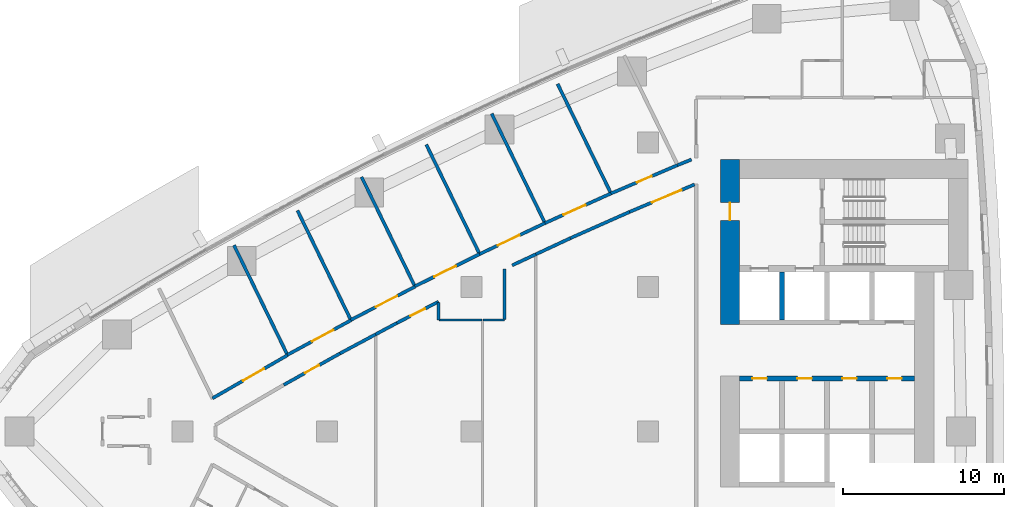
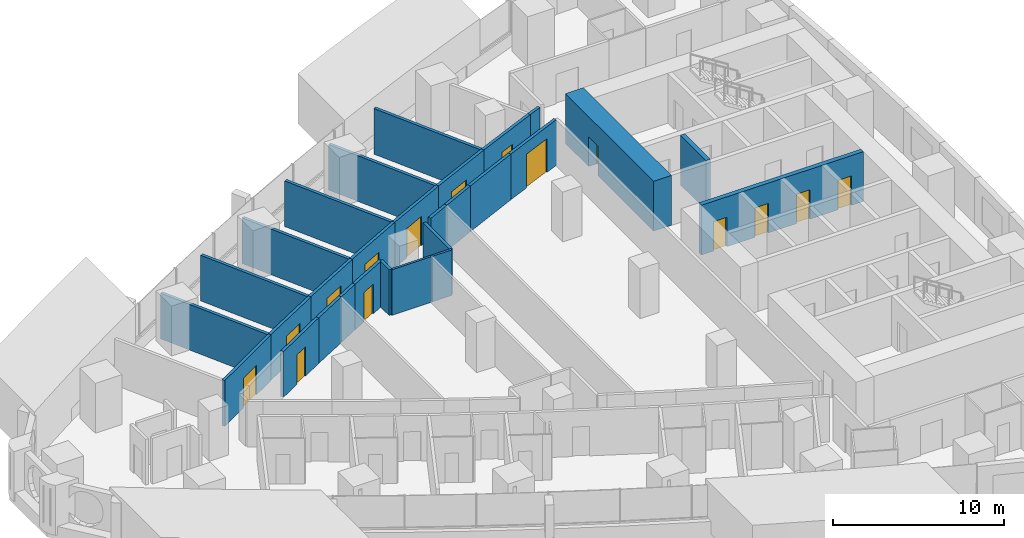
# One storey, part 12 of 19: 29 walls, 15 doors, 15 openings.
"""IFC4 building model written with IfcOpenShell, lengths in metres."""

from ifc_helpers import new_model, si_unit, direction, frame, frame_2d, origin, place, context, subcontext, project, spatial, rectangle, extrude, material, layer, layer_set, type_object, element, fill, save


model = new_model("IFC4")

# Units and contexts
model_context = context("Model", 3, precision=1e-05, world=origin(), true_north=direction((0.0, 1.0)))
body_context = subcontext(model_context, "Body", "Model", "MODEL_VIEW")
ifc_project = project(units=[si_unit("LENGTHUNIT", "METRE"), si_unit("AREAUNIT", "SQUARE_METRE"), si_unit("VOLUMEUNIT", "CUBIC_METRE"), si_unit("PLANEANGLEUNIT", "RADIAN"), si_unit("MASSUNIT", "GRAM", prefix="KILO")], contexts=[model_context])

# Site, building, storey
site_placement = place(None, origin())
site = spatial("IfcSite", under=ifc_project, at=site_placement, CompositionType="ELEMENT")
building_placement = place(site_placement, origin())
building = spatial("IfcBuilding", under=site, at=building_placement, Name="Ostrand Prow Hotel Tower", CompositionType="ELEMENT")
storey_placement = place(building_placement, frame((0.0, 0.0, 46.699951171875)))
storey = spatial("IfcBuildingStorey", under=building, at=storey_placement, Name="L09", CompositionType="ELEMENT", Elevation=46.699951171875)

# Wall, opening, door
ifc_material_1 = material(Name="Concrete C80/95", Category="concrete")
ifc_layer_1 = layer(ifc_material_1, 1.199951171875)
ifc_layer_set_1 = layer_set([ifc_layer_1], Name="Concrete C80/95")
wall_type_1 = type_object("IfcWallType", Name="Core wall 1200 C80/95", PredefinedType="SHEAR", material=ifc_layer_set_1)
wall_1_placement = place(storey_placement, frame((50.10009765625, 6.64990234375, 0.0), z_axis=(0.0, 0.0, 1.0), x_axis=(0.0, 1.0, 0.0)))
wall_1 = element("IfcWall", 1, at=wall_1_placement, inside=storey, type_object=wall_type_1, Name="Core wall CW-W-N", PredefinedType="SHEAR", context=body_context, shape_type="SweptSolid", body=[
    extrude(rectangle(XDim=10.300048828125, YDim=1.199951171875, at=frame_2d((5.14990234375, 0.0))), origin(), (0.0, 0.0, 1.0), 3.550048828125),
])
opening_1_placement = place(wall_1_placement, frame((6.5, 0.0, 0.0)))
opening_1 = element("IfcOpeningElement", 2, at=opening_1_placement, cuts=wall_1, Name="Opening FD1", PredefinedType="OPENING", context=body_context, shape_type="SweptSolid", body=[
    extrude(rectangle(XDim=1.10009765625, YDim=2.10009765625, at=frame_2d((0.550048828125, 1.050048828125))), frame((0.0, 0.60986328125, 0.0), z_axis=(0.0, -1.0, 0.0), x_axis=(1.0, 0.0, 0.0)), (0.0, 0.0, 1.0), 1.219970703125),
])
ifc_material_2 = material(Name="Steel fire door", Category="steel")
door_type_1 = type_object("IfcDoorType", Name="Fire door 1100 EI120", OperationType="SINGLE_SWING_RIGHT", PredefinedType="DOOR", material=ifc_material_2)
door_1_placement = place(opening_1_placement, origin())
door_1 = element("IfcDoor", 3, at=door_1_placement, inside=storey, type_object=door_type_1, Name="FIRE DOOR", OperationType="SINGLE_SWING_RIGHT", OverallHeight=2.10009765625, OverallWidth=1.10009765625, PredefinedType="DOOR", context=body_context, shape_type="SweptSolid", body=[
    extrude(rectangle(XDim=1.10009765625, YDim=2.10009765625, at=frame_2d((0.550048828125, 1.050048828125))), frame((0.0, 0.02490234375, 0.0), z_axis=(0.0, -1.0, 0.0), x_axis=(1.0, 0.0, 0.0)), (0.0, 0.0, 1.0), 0.050048828125),
])
fill(opening_1, door_1)

# Wall, openings, doors
ifc_material_3 = material(Name="Concrete C80/95", Category="concrete")
ifc_layer_2 = layer(ifc_material_3, 0.300048828125)
ifc_layer_set_2 = layer_set([ifc_layer_2], Name="Concrete C80/95")
wall_type_2 = type_object("IfcWallType", Name="Core wall 300 C80/95", PredefinedType="SHEAR", material=ifc_layer_set_2)
wall_2_placement = place(storey_placement, frame((50.699951171875, 3.300048828125, 0.0), z_axis=(0.0, 0.0, 1.0), x_axis=(1.0, 0.0, 0.0)))
wall_2 = element("IfcWall", 4, at=wall_2_placement, inside=storey, type_object=wall_type_2, Name="Core wall PW-L1-N", PredefinedType="SHEAR", context=body_context, shape_type="SweptSolid", body=[
    extrude(rectangle(XDim=10.900146484375, YDim=0.300048828125, at=frame_2d((5.4501953125, 0.0))), origin(), (0.0, 0.0, 1.0), 3.550048828125),
])
opening_2_placement = place(wall_2_placement, frame((0.800048828125, 0.0, 0.0)))
opening_2 = element("IfcOpeningElement", 5, at=opening_2_placement, cuts=wall_2, Name="Opening FD2", PredefinedType="OPENING", context=body_context, shape_type="SweptSolid", body=[
    extrude(rectangle(XDim=0.89990234375, YDim=2.10009765625, at=frame_2d((0.449951171875, 1.050048828125))), frame((0.0, 0.159912109375, 0.0), z_axis=(0.0, -1.0, 0.0), x_axis=(1.0, 0.0, 0.0)), (0.0, 0.0, 1.0), 0.320068359375),
])
opening_3_placement = place(wall_2_placement, frame((3.60009765625, 0.0, 0.0)))
opening_3 = element("IfcOpeningElement", 6, at=opening_3_placement, cuts=wall_2, Name="Opening FD2", PredefinedType="OPENING", context=body_context, shape_type="SweptSolid", body=[
    extrude(rectangle(XDim=0.89990234375, YDim=2.10009765625, at=frame_2d((0.449951171875, 1.050048828125))), frame((0.0, 0.159912109375, 0.0), z_axis=(0.0, -1.0, 0.0), x_axis=(1.0, 0.0, 0.0)), (0.0, 0.0, 1.0), 0.320068359375),
])
opening_4_placement = place(wall_2_placement, frame((6.39990234375, 0.0, 0.0)))
opening_4 = element("IfcOpeningElement", 7, at=opening_4_placement, cuts=wall_2, Name="Opening FD2", PredefinedType="OPENING", context=body_context, shape_type="SweptSolid", body=[
    extrude(rectangle(XDim=0.89990234375, YDim=2.10009765625, at=frame_2d((0.449951171875, 1.050048828125))), frame((0.0, 0.159912109375, 0.0), z_axis=(0.0, -1.0, 0.0), x_axis=(1.0, 0.0, 0.0)), (0.0, 0.0, 1.0), 0.320068359375),
])
opening_5_placement = place(wall_2_placement, frame((9.199951171875, 0.0, 0.0)))
opening_5 = element("IfcOpeningElement", 8, at=opening_5_placement, cuts=wall_2, Name="Opening FD2", PredefinedType="OPENING", context=body_context, shape_type="SweptSolid", body=[
    extrude(rectangle(XDim=0.89990234375, YDim=2.10009765625, at=frame_2d((0.449951171875, 1.050048828125))), frame((0.0, 0.159912109375, 0.0), z_axis=(0.0, -1.0, 0.0), x_axis=(1.0, 0.0, 0.0)), (0.0, 0.0, 1.0), 0.320068359375),
])
ifc_material_4 = material(Name="Steel fire door", Category="steel")
door_type_2 = type_object("IfcDoorType", Name="Fire door 900 EI120", OperationType="SINGLE_SWING_LEFT", PredefinedType="DOOR", material=ifc_material_4)
door_2_placement = place(opening_2_placement, origin())
door_2 = element("IfcDoor", 9, at=door_2_placement, inside=storey, type_object=door_type_2, Name="DOOR", OperationType="SINGLE_SWING_LEFT", OverallHeight=2.10009765625, OverallWidth=0.89990234375, PredefinedType="DOOR", context=body_context, shape_type="SweptSolid", body=[
    extrude(rectangle(XDim=0.89990234375, YDim=2.10009765625, at=frame_2d((0.449951171875, 1.050048828125))), frame((0.0, 0.02490234375, 0.0), z_axis=(0.0, -1.0, 0.0), x_axis=(1.0, 0.0, 0.0)), (0.0, 0.0, 1.0), 0.050048828125),
])
fill(opening_2, door_2)
door_3_placement = place(opening_3_placement, origin())
door_3 = element("IfcDoor", 10, at=door_3_placement, inside=storey, type_object=door_type_2, Name="DOOR", OperationType="SINGLE_SWING_LEFT", OverallHeight=2.10009765625, OverallWidth=0.89990234375, PredefinedType="DOOR", context=body_context, shape_type="SweptSolid", body=[
    extrude(rectangle(XDim=0.89990234375, YDim=2.10009765625, at=frame_2d((0.449951171875, 1.050048828125))), frame((0.0, 0.02490234375, 0.0), z_axis=(0.0, -1.0, 0.0), x_axis=(1.0, 0.0, 0.0)), (0.0, 0.0, 1.0), 0.050048828125),
])
fill(opening_3, door_3)
door_4_placement = place(opening_4_placement, origin())
door_4 = element("IfcDoor", 11, at=door_4_placement, inside=storey, type_object=door_type_2, Name="DOOR", OperationType="SINGLE_SWING_LEFT", OverallHeight=2.10009765625, OverallWidth=0.89990234375, PredefinedType="DOOR", context=body_context, shape_type="SweptSolid", body=[
    extrude(rectangle(XDim=0.89990234375, YDim=2.10009765625, at=frame_2d((0.449951171875, 1.050048828125))), frame((0.0, 0.02490234375, 0.0), z_axis=(0.0, -1.0, 0.0), x_axis=(1.0, 0.0, 0.0)), (0.0, 0.0, 1.0), 0.050048828125),
])
fill(opening_4, door_4)
door_5_placement = place(opening_5_placement, origin())
door_5 = element("IfcDoor", 12, at=door_5_placement, inside=storey, type_object=door_type_2, Name="DOOR", OperationType="SINGLE_SWING_LEFT", OverallHeight=2.10009765625, OverallWidth=0.89990234375, PredefinedType="DOOR", context=body_context, shape_type="SweptSolid", body=[
    extrude(rectangle(XDim=0.89990234375, YDim=2.10009765625, at=frame_2d((0.449951171875, 1.050048828125))), frame((0.0, 0.02490234375, 0.0), z_axis=(0.0, -1.0, 0.0), x_axis=(1.0, 0.0, 0.0)), (0.0, 0.0, 1.0), 0.050048828125),
])
fill(opening_5, door_5)

# Walls
wall_3_placement = place(storey_placement, frame((53.35009765625, 6.949951171875, 0.0), z_axis=(0.0, 0.0, 1.0), x_axis=(0.0, 1.0, 0.0)))
element("IfcWall", 13, at=wall_3_placement, inside=storey, type_object=wall_type_2, Name="Core wall PW-R1-NA", PredefinedType="SHEAR", context=body_context, shape_type="SweptSolid", body=[
    extrude(rectangle(XDim=3.0, YDim=0.300048828125, at=frame_2d((1.5, 0.0))), origin(), (0.0, 0.0, 1.0), 3.550048828125),
])
ifc_material_5 = material(Name="Plasterboard partition")
ifc_layer_3 = layer(ifc_material_5, 0.14990234375)
ifc_layer_set_3 = layer_set([ifc_layer_3], Name="Plasterboard partition")
wall_type_3 = type_object("IfcWallType", Name="Partition 150 room partition", PredefinedType="PARTITIONING", material=ifc_layer_set_3)
wall_4_placement = place(storey_placement, frame((31.989013671875, 6.945068359375, 0.0), z_axis=(0.0, 0.0, 1.0), x_axis=(1.0, 0.0, 0.0)))
element("IfcWall", 14, at=wall_4_placement, inside=storey, type_object=wall_type_3, Name="ROOM PARTITION", PredefinedType="PARTITIONING", context=body_context, shape_type="SweptSolid", body=[
    extrude(rectangle(XDim=2.659912109375, YDim=0.14990234375, at=frame_2d((1.330078125, 0.0))), origin(), (0.0, 0.0, 1.0), 3.25),
])
wall_5_placement = place(storey_placement, frame((34.72900390625, 6.945068359375, 0.0), z_axis=(0.0, 0.0, 1.0), x_axis=(0.999999168148, 0.001289845988, 0.0)))
element("IfcWall", 15, at=wall_5_placement, inside=storey, type_object=wall_type_3, Name="ROOM PARTITION", PredefinedType="PARTITIONING", context=body_context, shape_type="SweptSolid", body=[
    extrude(rectangle(XDim=1.324951171875, YDim=0.14990234375, at=frame_2d((0.66259765625, 0.0))), origin(), (0.0, 0.0, 1.0), 3.25),
])

# Wall, opening, door
ifc_material_6 = material(Name="Plasterboard partition")
ifc_layer_4 = layer(ifc_material_6, 0.199951171875)
ifc_layer_set_4 = layer_set([ifc_layer_4], Name="Plasterboard partition")
wall_type_4 = type_object("IfcWallType", Name="Partition 200 corridor wall", PredefinedType="PARTITIONING", material=ifc_layer_set_4)
wall_6_placement = place(storey_placement, frame((17.87353515625, 2.068115234375, 0.0), z_axis=(0.0, 0.0, 1.0), x_axis=(0.867093061484, 0.4981461861, 0.0)))
wall_6 = element("IfcWall", 16, at=wall_6_placement, inside=storey, type_object=wall_type_4, Name="CORRIDOR WALL", PredefinedType="PARTITIONING", context=body_context, shape_type="SweptSolid", body=[
    extrude(rectangle(XDim=5.39306640625, YDim=0.199951171875, at=frame_2d((2.696533203125, 0.0))), origin(), (0.0, 0.0, 1.0), 3.25),
])
opening_6_placement = place(wall_6_placement, frame((2.196533203125, 0.0, 0.0)))
opening_6 = element("IfcOpeningElement", 17, at=opening_6_placement, cuts=wall_6, Name="Opening D15", PredefinedType="OPENING", context=body_context, shape_type="SweptSolid", body=[
    extrude(rectangle(XDim=1.5, YDim=2.10009765625, at=frame_2d((0.75, 1.050048828125))), frame((0.0, 0.10986328125, 0.0), z_axis=(0.0, -1.0, 0.0), x_axis=(1.0, 0.0, 0.0)), (0.0, 0.0, 1.0), 0.219970703125),
])
ifc_material_7 = material(Name="Timber door leaf", Category="wood")
door_type_3 = type_object("IfcDoorType", Name="Double door 1500", OperationType="DOUBLE_DOOR_SINGLE_SWING", PredefinedType="DOOR", material=ifc_material_7)
door_6_placement = place(opening_6_placement, origin())
door_6 = element("IfcDoor", 18, at=door_6_placement, inside=storey, type_object=door_type_3, Name="DOOR", OperationType="DOUBLE_DOOR_SINGLE_SWING", OverallHeight=2.10009765625, OverallWidth=1.5, PredefinedType="DOOR", context=body_context, shape_type="SweptSolid", body=[
    extrude(rectangle(XDim=1.5, YDim=2.10009765625, at=frame_2d((0.75, 1.050048828125))), frame((0.0, 0.02490234375, 0.0), z_axis=(0.0, -1.0, 0.0), x_axis=(1.0, 0.0, 0.0)), (0.0, 0.0, 1.0), 0.050048828125),
])
fill(opening_6, door_6)

wall_7_placement = place(storey_placement, frame((22.541015625, 4.772705078125, 0.0), z_axis=(0.0, 0.0, 1.0), x_axis=(0.878098348451, 0.478480188146, 0.0)))
wall_7 = element("IfcWall", 19, at=wall_7_placement, inside=storey, type_object=wall_type_4, Name="CORRIDOR WALL", PredefinedType="PARTITIONING", context=body_context, shape_type="SweptSolid", body=[
    extrude(rectangle(XDim=4.507568359375, YDim=0.199951171875, at=frame_2d((2.25390625, 0.0))), origin(), (0.0, 0.0, 1.0), 3.25),
])
opening_7_placement = place(wall_7_placement, frame((1.75390625, 0.0, 0.0)))
opening_7 = element("IfcOpeningElement", 20, at=opening_7_placement, cuts=wall_7, Name="Opening D15", PredefinedType="OPENING", context=body_context, shape_type="SweptSolid", body=[
    extrude(rectangle(XDim=1.5, YDim=2.10009765625, at=frame_2d((0.75, 1.050048828125))), frame((0.0, 0.10986328125, 0.0), z_axis=(0.0, -1.0, 0.0), x_axis=(1.0, 0.0, 0.0)), (0.0, 0.0, 1.0), 0.219970703125),
])
door_7_placement = place(opening_7_placement, origin())
door_7 = element("IfcDoor", 21, at=door_7_placement, inside=storey, type_object=door_type_3, Name="DOOR", OperationType="DOUBLE_DOOR_SINGLE_SWING", OverallHeight=2.10009765625, OverallWidth=1.5, PredefinedType="DOOR", context=body_context, shape_type="SweptSolid", body=[
    extrude(rectangle(XDim=1.5, YDim=2.10009765625, at=frame_2d((0.75, 1.050048828125))), frame((0.0, 0.02490234375, 0.0), z_axis=(0.0, -1.0, 0.0), x_axis=(1.0, 0.0, 0.0)), (0.0, 0.0, 1.0), 0.050048828125),
])
fill(opening_7, door_7)

wall_8_placement = place(storey_placement, frame((26.490234375, 6.947509765625, 0.0), z_axis=(0.0, 0.0, 1.0), x_axis=(0.887638836985, 0.460540220911, 0.0)))
wall_8 = element("IfcWall", 22, at=wall_8_placement, inside=storey, type_object=wall_type_4, Name="CORRIDOR WALL", PredefinedType="PARTITIONING", context=body_context, shape_type="SweptSolid", body=[
    extrude(rectangle(XDim=4.50439453125, YDim=0.199951171875, at=frame_2d((2.252197265625, 0.0))), origin(), (0.0, 0.0, 1.0), 3.25),
])
opening_8_placement = place(wall_8_placement, frame((1.752197265625, 0.0, 0.0)))
opening_8 = element("IfcOpeningElement", 23, at=opening_8_placement, cuts=wall_8, Name="Opening D15", PredefinedType="OPENING", context=body_context, shape_type="SweptSolid", body=[
    extrude(rectangle(XDim=1.5, YDim=2.10009765625, at=frame_2d((0.75, 1.050048828125))), frame((0.0, 0.10986328125, 0.0), z_axis=(0.0, -1.0, 0.0), x_axis=(1.0, 0.0, 0.0)), (0.0, 0.0, 1.0), 0.219970703125),
])
door_8_placement = place(opening_8_placement, origin())
door_8 = element("IfcDoor", 24, at=door_8_placement, inside=storey, type_object=door_type_3, Name="DOOR", OperationType="DOUBLE_DOOR_SINGLE_SWING", OverallHeight=2.10009765625, OverallWidth=1.5, PredefinedType="DOOR", context=body_context, shape_type="SweptSolid", body=[
    extrude(rectangle(XDim=1.5, YDim=2.10009765625, at=frame_2d((0.75, 1.050048828125))), frame((0.0, 0.02490234375, 0.0), z_axis=(0.0, -1.0, 0.0), x_axis=(1.0, 0.0, 0.0)), (0.0, 0.0, 1.0), 0.050048828125),
])
fill(opening_8, door_8)

wall_9_placement = place(storey_placement, frame((30.479736328125, 9.039794921875, 0.0), z_axis=(0.0, 0.0, 1.0), x_axis=(0.894989913054, 0.446086376761, 0.0)))
wall_9 = element("IfcWall", 25, at=wall_9_placement, inside=storey, type_object=wall_type_4, Name="CORRIDOR WALL", PredefinedType="PARTITIONING", context=body_context, shape_type="SweptSolid", body=[
    extrude(rectangle(XDim=4.50634765625, YDim=0.199951171875, at=frame_2d((2.253173828125, 0.0))), origin(), (0.0, 0.0, 1.0), 3.25),
])
opening_9_placement = place(wall_9_placement, frame((1.35009765625, 0.0, 0.0)))
opening_9 = element("IfcOpeningElement", 26, at=opening_9_placement, cuts=wall_9, Name="Opening D15", PredefinedType="OPENING", context=body_context, shape_type="SweptSolid", body=[
    extrude(rectangle(XDim=1.5, YDim=2.10009765625, at=frame_2d((0.75, 1.050048828125))), frame((0.0, 0.10986328125, 0.0), z_axis=(0.0, -1.0, 0.0), x_axis=(1.0, 0.0, 0.0)), (0.0, 0.0, 1.0), 0.219970703125),
])
door_9_placement = place(opening_9_placement, origin())
door_9 = element("IfcDoor", 27, at=door_9_placement, inside=storey, type_object=door_type_3, Name="DOOR", OperationType="DOUBLE_DOOR_SINGLE_SWING", OverallHeight=2.10009765625, OverallWidth=1.5, PredefinedType="DOOR", context=body_context, shape_type="SweptSolid", body=[
    extrude(rectangle(XDim=1.5, YDim=2.10009765625, at=frame_2d((0.75, 1.050048828125))), frame((0.0, 0.02490234375, 0.0), z_axis=(0.0, -1.0, 0.0), x_axis=(1.0, 0.0, 0.0)), (0.0, 0.0, 1.0), 0.050048828125),
])
fill(opening_9, door_9)

wall_10_placement = place(storey_placement, frame((38.584716796875, 12.981201171875, 0.0), z_axis=(0.0, 0.0, 1.0), x_axis=(-0.903706948966, -0.428151550727, 0.0)))
wall_10 = element("IfcWall", 28, at=wall_10_placement, inside=storey, type_object=wall_type_4, Name="CORRIDOR WALL", PredefinedType="PARTITIONING", context=body_context, shape_type="SweptSolid", body=[
    extrude(rectangle(XDim=4.50634765625, YDim=0.199951171875, at=frame_2d((2.253173828125, 0.0))), origin(), (0.0, 0.0, 1.0), 3.25),
])
opening_10_placement = place(wall_10_placement, frame((1.75341796875, 0.0, 0.0)))
opening_10 = element("IfcOpeningElement", 29, at=opening_10_placement, cuts=wall_10, Name="Opening D15", PredefinedType="OPENING", context=body_context, shape_type="SweptSolid", body=[
    extrude(rectangle(XDim=1.5, YDim=2.10009765625, at=frame_2d((0.75, 1.050048828125))), frame((0.0, 0.10986328125, 0.0), z_axis=(0.0, -1.0, 0.0), x_axis=(1.0, 0.0, 0.0)), (0.0, 0.0, 1.0), 0.219970703125),
])
door_10_placement = place(opening_10_placement, origin())
door_10 = element("IfcDoor", 30, at=door_10_placement, inside=storey, type_object=door_type_3, Name="DOOR", OperationType="DOUBLE_DOOR_SINGLE_SWING", OverallHeight=2.10009765625, OverallWidth=1.5, PredefinedType="DOOR", context=body_context, shape_type="SweptSolid", body=[
    extrude(rectangle(XDim=1.5, YDim=2.10009765625, at=frame_2d((0.75, 1.050048828125))), frame((0.0, 0.02490234375, 0.0), z_axis=(0.0, -1.0, 0.0), x_axis=(1.0, 0.0, 0.0)), (0.0, 0.0, 1.0), 0.050048828125),
])
fill(opening_10, door_10)

wall_11_placement = place(storey_placement, frame((42.694091796875, 14.8271484375, 0.0), z_axis=(0.0, 0.0, 1.0), x_axis=(-0.912193063794, -0.409760679381, 0.0)))
wall_11 = element("IfcWall", 31, at=wall_11_placement, inside=storey, type_object=wall_type_4, Name="CORRIDOR WALL", PredefinedType="PARTITIONING", context=body_context, shape_type="SweptSolid", body=[
    extrude(rectangle(XDim=4.5048828125, YDim=0.199951171875, at=frame_2d((2.25244140625, 0.0))), origin(), (0.0, 0.0, 1.0), 3.25),
])
opening_11_placement = place(wall_11_placement, frame((1.75244140625, 0.0, 0.0)))
opening_11 = element("IfcOpeningElement", 32, at=opening_11_placement, cuts=wall_11, Name="Opening D15", PredefinedType="OPENING", context=body_context, shape_type="SweptSolid", body=[
    extrude(rectangle(XDim=1.5, YDim=2.10009765625, at=frame_2d((0.75, 1.050048828125))), frame((0.0, 0.10986328125, 0.0), z_axis=(0.0, -1.0, 0.0), x_axis=(1.0, 0.0, 0.0)), (0.0, 0.0, 1.0), 0.219970703125),
])
door_11_placement = place(opening_11_placement, origin())
door_11 = element("IfcDoor", 33, at=door_11_placement, inside=storey, type_object=door_type_3, Name="DOOR", OperationType="DOUBLE_DOOR_SINGLE_SWING", OverallHeight=2.10009765625, OverallWidth=1.5, PredefinedType="DOOR", context=body_context, shape_type="SweptSolid", body=[
    extrude(rectangle(XDim=1.5, YDim=2.10009765625, at=frame_2d((0.75, 1.050048828125))), frame((0.0, 0.02490234375, 0.0), z_axis=(0.0, -1.0, 0.0), x_axis=(1.0, 0.0, 0.0)), (0.0, 0.0, 1.0), 0.050048828125),
])
fill(opening_11, door_11)

wall_12_placement = place(storey_placement, frame((46.843505859375, 16.5908203125, 0.0), z_axis=(0.0, 0.0, 1.0), x_axis=(-0.92031727314, -0.39117274542, 0.0)))
wall_12 = element("IfcWall", 34, at=wall_12_placement, inside=storey, type_object=wall_type_4, Name="CORRIDOR WALL", PredefinedType="PARTITIONING", context=body_context, shape_type="SweptSolid", body=[
    extrude(rectangle(XDim=4.5087890625, YDim=0.199951171875, at=frame_2d((2.25439453125, 0.0))), origin(), (0.0, 0.0, 1.0), 3.25),
])
opening_12_placement = place(wall_12_placement, frame((1.75439453125, 0.0, 0.0)))
opening_12 = element("IfcOpeningElement", 35, at=opening_12_placement, cuts=wall_12, Name="Opening D1R", PredefinedType="OPENING", context=body_context, shape_type="SweptSolid", body=[
    extrude(rectangle(XDim=1.0, YDim=2.10009765625, at=frame_2d((0.5, 1.050048828125))), frame((0.0, 0.10986328125, 0.0), z_axis=(0.0, -1.0, 0.0), x_axis=(1.0, 0.0, 0.0)), (0.0, 0.0, 1.0), 0.219970703125),
])
ifc_material_8 = material(Name="Timber door leaf", Category="wood")
door_type_4 = type_object("IfcDoorType", Name="Guest room door 1000 right", OperationType="SINGLE_SWING_RIGHT", PredefinedType="DOOR", material=ifc_material_8)
door_12_placement = place(opening_12_placement, origin())
door_12 = element("IfcDoor", 36, at=door_12_placement, inside=storey, type_object=door_type_4, Name="DOOR", OperationType="SINGLE_SWING_RIGHT", OverallHeight=2.10009765625, OverallWidth=1.0, PredefinedType="DOOR", context=body_context, shape_type="SweptSolid", body=[
    extrude(rectangle(XDim=1.0, YDim=2.10009765625, at=frame_2d((0.5, 1.050048828125))), frame((0.0, 0.02490234375, 0.0), z_axis=(0.0, -1.0, 0.0), x_axis=(1.0, 0.0, 0.0)), (0.0, 0.0, 1.0), 0.050048828125),
])
fill(opening_12, door_12)

wall_13_placement = place(storey_placement, frame((22.31201171875, 2.903076171875, 0.0), z_axis=(0.0, 0.0, 1.0), x_axis=(0.872800289292, 0.488077509225, 0.0)))
wall_13 = element("IfcWall", 37, at=wall_13_placement, inside=storey, type_object=wall_type_4, Name="CORRIDOR WALL", PredefinedType="PARTITIONING", context=body_context, shape_type="SweptSolid", body=[
    extrude(rectangle(XDim=4.015625, YDim=0.199951171875, at=frame_2d((2.0078125, 0.0))), origin(), (0.0, 0.0, 1.0), 3.25),
])
opening_13_placement = place(wall_13_placement, frame((1.5078125, 0.0, 0.0)))
opening_13 = element("IfcOpeningElement", 38, at=opening_13_placement, cuts=wall_13, Name="Opening D1R", PredefinedType="OPENING", context=body_context, shape_type="SweptSolid", body=[
    extrude(rectangle(XDim=1.0, YDim=2.10009765625, at=frame_2d((0.5, 1.050048828125))), frame((0.0, 0.10986328125, 0.0), z_axis=(0.0, -1.0, 0.0), x_axis=(1.0, 0.0, 0.0)), (0.0, 0.0, 1.0), 0.219970703125),
])
door_13_placement = place(opening_13_placement, origin())
door_13 = element("IfcDoor", 39, at=door_13_placement, inside=storey, type_object=door_type_4, Name="DOOR", OperationType="SINGLE_SWING_RIGHT", OverallHeight=2.10009765625, OverallWidth=1.0, PredefinedType="DOOR", context=body_context, shape_type="SweptSolid", body=[
    extrude(rectangle(XDim=1.0, YDim=2.10009765625, at=frame_2d((0.5, 1.050048828125))), frame((0.0, 0.02490234375, 0.0), z_axis=(0.0, -1.0, 0.0), x_axis=(1.0, 0.0, 0.0)), (0.0, 0.0, 1.0), 0.050048828125),
])
fill(opening_13, door_13)

# Wall
wall_14_placement = place(storey_placement, frame((25.81689453125, 4.863037109375, 0.0), z_axis=(0.0, 0.0, 1.0), x_axis=(0.881650280758, 0.471903361335, 0.0)))
element("IfcWall", 40, at=wall_14_placement, inside=storey, type_object=wall_type_4, Name="CORRIDOR WALL", PredefinedType="PARTITIONING", context=body_context, shape_type="SweptSolid", body=[
    extrude(rectangle(XDim=2.513916015625, YDim=0.199951171875, at=frame_2d((1.2568359375, 0.0))), origin(), (0.0, 0.0, 1.0), 3.25),
])

# Wall, opening, door
wall_15_placement = place(storey_placement, frame((29.357421875, 6.758056640625, 0.0), z_axis=(0.0, 0.0, 1.0), x_axis=(0.890213377055, 0.455543788579, 0.0)))
wall_15 = element("IfcWall", 41, at=wall_15_placement, inside=storey, type_object=wall_type_4, Name="CORRIDOR WALL", PredefinedType="PARTITIONING", context=body_context, shape_type="SweptSolid", body=[
    extrude(rectangle(XDim=2.912353515625, YDim=0.199951171875, at=frame_2d((1.4560546875, 0.0))), origin(), (0.0, 0.0, 1.0), 3.25),
])
opening_14_placement = place(wall_15_placement, frame((0.956298828125, 0.0, 0.0)))
opening_14 = element("IfcOpeningElement", 42, at=opening_14_placement, cuts=wall_15, Name="Opening D1", PredefinedType="OPENING", context=body_context, shape_type="SweptSolid", body=[
    extrude(rectangle(XDim=1.0, YDim=2.10009765625, at=frame_2d((0.5, 1.050048828125))), frame((0.0, 0.10986328125, 0.0), z_axis=(0.0, -1.0, 0.0), x_axis=(1.0, 0.0, 0.0)), (0.0, 0.0, 1.0), 0.219970703125),
])
ifc_material_9 = material(Name="Timber door leaf", Category="wood")
door_type_5 = type_object("IfcDoorType", Name="Guest room door 1000", OperationType="SINGLE_SWING_LEFT", PredefinedType="DOOR", material=ifc_material_9)
door_14_placement = place(opening_14_placement, origin())
door_14 = element("IfcDoor", 43, at=door_14_placement, inside=storey, type_object=door_type_5, Name="DOOR", OperationType="SINGLE_SWING_LEFT", OverallHeight=2.10009765625, OverallWidth=1.0, PredefinedType="DOOR", context=body_context, shape_type="SweptSolid", body=[
    extrude(rectangle(XDim=1.0, YDim=2.10009765625, at=frame_2d((0.5, 1.050048828125))), frame((0.0, 0.02490234375, 0.0), z_axis=(0.0, -1.0, 0.0), x_axis=(1.0, 0.0, 0.0)), (0.0, 0.0, 1.0), 0.050048828125),
])
fill(opening_14, door_14)

# Walls
wall_16_placement = place(storey_placement, frame((28.033203125, 6.04931640625, 0.0), z_axis=(0.0, 0.0, 1.0), x_axis=(0.881663555886, 0.471878558764, 0.0)))
element("IfcWall", 44, at=wall_16_placement, inside=storey, type_object=wall_type_4, Name="CORRIDOR WALL", PredefinedType="PARTITIONING", context=body_context, shape_type="SweptSolid", body=[
    extrude(rectangle(XDim=1.501953125, YDim=0.199951171875, at=frame_2d((0.7509765625, 0.0))), origin(), (0.0, 0.0, 1.0), 3.25),
])
wall_17_placement = place(storey_placement, frame((36.5400390625, 10.35107421875, 0.0), z_axis=(0.0, 0.0, 1.0), x_axis=(0.906378304335, 0.422467003955, 0.0)))
element("IfcWall", 45, at=wall_17_placement, inside=storey, type_object=wall_type_4, Name="CORRIDOR WALL", PredefinedType="PARTITIONING", context=body_context, shape_type="SweptSolid", body=[
    extrude(rectangle(XDim=1.629150390625, YDim=0.199951171875, at=frame_2d((0.814453125, 0.0))), origin(), (0.0, 0.0, 1.0), 3.25),
])

# Wall, opening, door
wall_18_placement = place(storey_placement, frame((43.85009765625, 13.67724609375, 0.0), z_axis=(0.0, 0.0, 1.0), x_axis=(0.921265924084, 0.388933281068, 0.0)))
wall_18 = element("IfcWall", 46, at=wall_18_placement, inside=storey, type_object=wall_type_4, Name="CORRIDOR WALL", PredefinedType="PARTITIONING", context=body_context, shape_type="SweptSolid", body=[
    extrude(rectangle(XDim=4.39599609375, YDim=0.199951171875, at=frame_2d((2.197998046875, 0.0))), origin(), (0.0, 0.0, 1.0), 3.25),
])
opening_15_placement = place(wall_18_placement, frame((1.5078125, 0.0, 0.0)))
opening_15 = element("IfcOpeningElement", 47, at=opening_15_placement, cuts=wall_18, Name="Opening D20", PredefinedType="OPENING", context=body_context, shape_type="SweptSolid", body=[
    extrude(rectangle(XDim=2.0, YDim=2.39990234375, at=frame_2d((1.0, 1.199951171875))), frame((0.0, 0.10986328125, 0.0), z_axis=(0.0, -1.0, 0.0), x_axis=(1.0, 0.0, 0.0)), (0.0, 0.0, 1.0), 0.219970703125),
])
ifc_material_10 = material(Name="Timber door leaf", Category="wood")
door_type_6 = type_object("IfcDoorType", Name="Double door 2000", OperationType="DOUBLE_DOOR_SINGLE_SWING", PredefinedType="DOOR", material=ifc_material_10)
door_15_placement = place(opening_15_placement, origin())
door_15 = element("IfcDoor", 48, at=door_15_placement, inside=storey, type_object=door_type_6, Name="DOOR", OperationType="DOUBLE_DOOR_SINGLE_SWING", OverallHeight=2.39990234375, OverallWidth=2.0, PredefinedType="DOOR", context=body_context, shape_type="SweptSolid", body=[
    extrude(rectangle(XDim=2.0, YDim=2.39990234375, at=frame_2d((1.0, 1.199951171875))), frame((0.0, 0.02490234375, 0.0), z_axis=(0.0, -1.0, 0.0), x_axis=(1.0, 0.0, 0.0)), (0.0, 0.0, 1.0), 0.050048828125),
])
fill(opening_15, door_15)

# Walls
wall_19_placement = place(storey_placement, frame((40.1796875, 12.0478515625, 0.0), z_axis=(0.0, 0.0, 1.0), x_axis=(0.913986953061, 0.405743576209, 0.0)))
element("IfcWall", 49, at=wall_19_placement, inside=storey, type_object=wall_type_4, Name="CORRIDOR WALL", PredefinedType="PARTITIONING", context=body_context, shape_type="SweptSolid", body=[
    extrude(rectangle(XDim=4.015869140625, YDim=0.199951171875, at=frame_2d((2.0078125, 0.0))), origin(), (0.0, 0.0, 1.0), 3.25),
])
wall_20_placement = place(storey_placement, frame((38.0166015625, 11.039306640625, 0.0), z_axis=(0.0, 0.0, 1.0), x_axis=(0.906326822236, 0.422577438223, 0.0)))
element("IfcWall", 50, at=wall_20_placement, inside=storey, type_object=wall_type_4, Name="CORRIDOR WALL", PredefinedType="PARTITIONING", context=body_context, shape_type="SweptSolid", body=[
    extrude(rectangle(XDim=2.38671875, YDim=0.199951171875, at=frame_2d((1.193359375, 0.0))), origin(), (0.0, 0.0, 1.0), 3.25),
])
wall_21_placement = place(storey_placement, frame((47.703857421875, 16.936279296875, 0.0), z_axis=(0.0, 0.0, 1.0), x_axis=(-0.927985537407, -0.372616213232, 0.0)))
element("IfcWall", 51, at=wall_21_placement, inside=storey, type_object=wall_type_4, Name="CORRIDOR WALL", PredefinedType="PARTITIONING", context=body_context, shape_type="SweptSolid", body=[
    extrude(rectangle(XDim=0.927001953125, YDim=0.199951171875, at=frame_2d((0.46337890625, 0.0))), origin(), (0.0, 0.0, 1.0), 3.25),
])
wall_22_placement = place(storey_placement, frame((31.945068359375, 8.037353515625, 0.0), z_axis=(0.0, 0.0, 1.0), x_axis=(0.003576195281, -0.999993605393, 0.0)))
element("IfcWall", 52, at=wall_22_placement, inside=storey, type_object=wall_type_4, Name="CORRIDOR WALL", PredefinedType="PARTITIONING", context=body_context, shape_type="SweptSolid", body=[
    extrude(rectangle(XDim=1.09228515625, YDim=0.199951171875, at=frame_2d((0.546142578125, 0.0))), origin(), (0.0, 0.0, 1.0), 3.25),
])
wall_23_placement = place(storey_placement, frame((36.053955078125, 6.98681640625, 0.0), z_axis=(0.0, 0.0, 1.0), x_axis=(0.000312842156, 0.999999951065, 0.0)))
element("IfcWall", 53, at=wall_23_placement, inside=storey, type_object=wall_type_4, Name="CORRIDOR WALL", PredefinedType="PARTITIONING", context=body_context, shape_type="SweptSolid", body=[
    extrude(rectangle(XDim=3.12158203125, YDim=0.199951171875, at=frame_2d((1.560791015625, 0.0))), origin(), (0.0, 0.0, 1.0), 3.25),
])
ifc_material_11 = material(Name="Plasterboard partition")
ifc_layer_5 = layer(ifc_material_11, 0.199951171875)
ifc_layer_set_5 = layer_set([ifc_layer_5], Name="Plasterboard partition")
wall_type_5 = type_object("IfcWallType", Name="Partition 200 key partition", PredefinedType="PARTITIONING", material=ifc_layer_set_5)
wall_24_placement = place(storey_placement, frame((22.5498046875, 4.754638671875, 0.0), z_axis=(0.0, 0.0, 1.0), x_axis=(-0.438210669268, 0.898872298683, 0.0)))
element("IfcWall", 54, at=wall_24_placement, inside=storey, type_object=wall_type_5, Name="KEY PARTITION", PredefinedType="PARTITIONING", context=body_context, shape_type="SweptSolid", body=[
    extrude(rectangle(XDim=7.612060546875, YDim=0.199951171875, at=frame_2d((3.80615234375, 0.0))), origin(), (0.0, 0.0, 1.0), 3.25),
])
wall_25_placement = place(storey_placement, frame((26.4990234375, 6.929443359375, 0.0), z_axis=(0.0, 0.0, 1.0), x_axis=(-0.438215539964, 0.898869924146, 0.0)))
element("IfcWall", 55, at=wall_25_placement, inside=storey, type_object=wall_type_5, Name="KEY PARTITION", PredefinedType="PARTITIONING", context=body_context, shape_type="SweptSolid", body=[
    extrude(rectangle(XDim=7.605224609375, YDim=0.199951171875, at=frame_2d((3.802734375, 0.0))), origin(), (0.0, 0.0, 1.0), 3.25),
])
wall_26_placement = place(storey_placement, frame((30.488525390625, 9.02197265625, 0.0), z_axis=(0.0, 0.0, 1.0), x_axis=(-0.43822365664, 0.898865967072, 0.0)))
element("IfcWall", 56, at=wall_26_placement, inside=storey, type_object=wall_type_5, Name="KEY PARTITION", PredefinedType="PARTITIONING", context=body_context, shape_type="SweptSolid", body=[
    extrude(rectangle(XDim=7.601318359375, YDim=0.199951171875, at=frame_2d((3.80078125, 0.0))), origin(), (0.0, 0.0, 1.0), 3.25),
])
wall_27_placement = place(storey_placement, frame((34.512939453125, 11.050048828125, 0.0), z_axis=(0.0, 0.0, 1.0), x_axis=(-0.438187612283, 0.898883538865, 0.0)))
element("IfcWall", 57, at=wall_27_placement, inside=storey, type_object=wall_type_5, Name="KEY PARTITION", PredefinedType="PARTITIONING", context=body_context, shape_type="SweptSolid", body=[
    extrude(rectangle(XDim=7.581787109375, YDim=0.199951171875, at=frame_2d((3.791015625, 0.0))), origin(), (0.0, 0.0, 1.0), 3.25),
])
wall_28_placement = place(storey_placement, frame((38.593505859375, 12.96337890625, 0.0), z_axis=(0.0, 0.0, 1.0), x_axis=(-0.438197705697, 0.898878618459, 0.0)))
element("IfcWall", 58, at=wall_28_placement, inside=storey, type_object=wall_type_5, Name="KEY PARTITION", PredefinedType="PARTITIONING", context=body_context, shape_type="SweptSolid", body=[
    extrude(rectangle(XDim=7.60107421875, YDim=0.199951171875, at=frame_2d((3.800537109375, 0.0))), origin(), (0.0, 0.0, 1.0), 3.25),
])
wall_29_placement = place(storey_placement, frame((42.702880859375, 14.80908203125, 0.0), z_axis=(0.0, 0.0, 1.0), x_axis=(-0.438202247191, 0.898876404494, 0.0)))
element("IfcWall", 59, at=wall_29_placement, inside=storey, type_object=wall_type_5, Name="KEY PARTITION", PredefinedType="PARTITIONING", context=body_context, shape_type="SweptSolid", body=[
    extrude(rectangle(XDim=7.60498046875, YDim=0.199951171875, at=frame_2d((3.802490234375, 0.0))), origin(), (0.0, 0.0, 1.0), 3.25),
])

save(model, "model.ifc")
